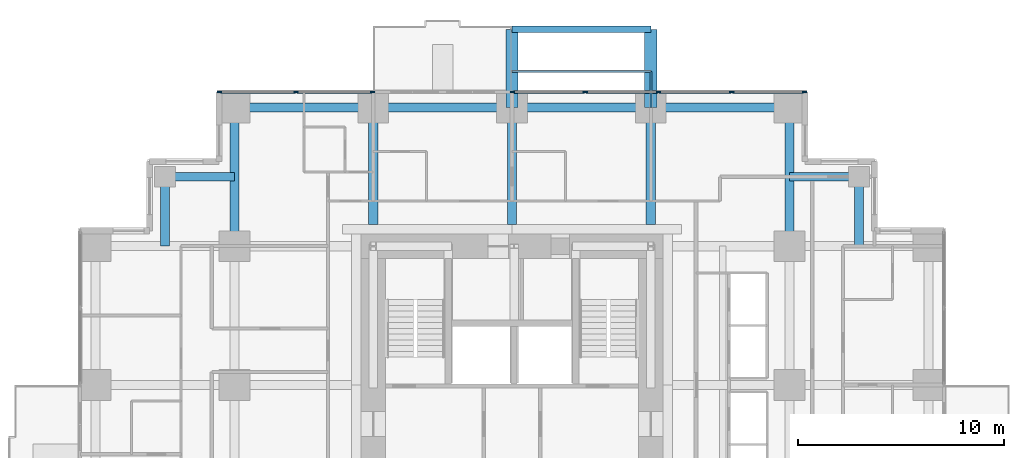
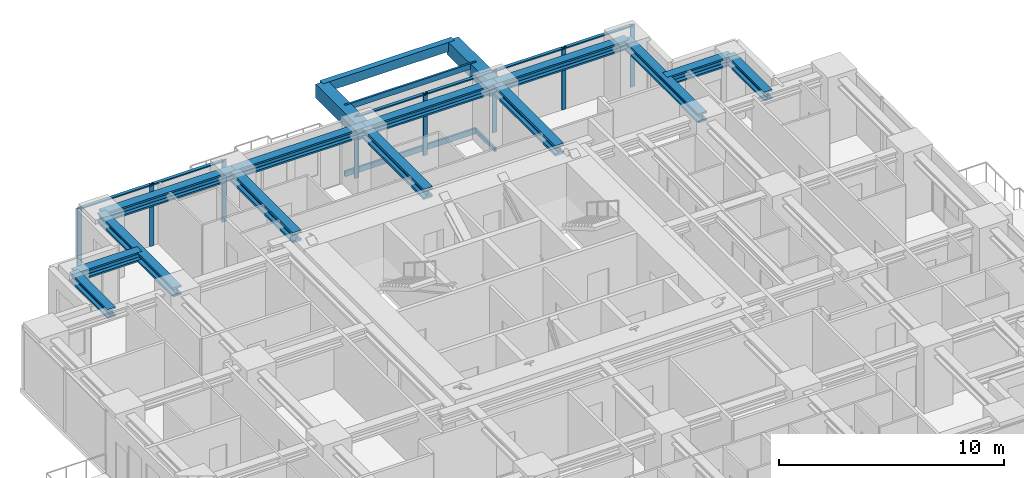
# One storey, part 5 of 13: 17 members, 16 beams, 2 elements without a shape of their own.
"""IFC4 building model written with IfcOpenShell, lengths in metres."""

from ifc_helpers import new_model, si_unit, direction, frame, origin, origin_2d, place, context, subcontext, project, spatial, rectangle, hollow_rectangle, i_section, extrude, material, material_profile, profile_set, type_object, element, aggregate, save


model = new_model("IFC4")

# Units and contexts
model_context = context("Model", 3, precision=1e-05, world=origin(), true_north=direction((0.0, 1.0)))
body_context = subcontext(model_context, "Body", "Model", "MODEL_VIEW")
ifc_project = project(units=[si_unit("LENGTHUNIT", "METRE"), si_unit("AREAUNIT", "SQUARE_METRE"), si_unit("VOLUMEUNIT", "CUBIC_METRE"), si_unit("PLANEANGLEUNIT", "RADIAN"), si_unit("MASSUNIT", "GRAM", prefix="KILO")], contexts=[model_context])

# Site, building, storey
site_placement = place(None, origin())
site = spatial("IfcSite", under=ifc_project, at=site_placement, CompositionType="ELEMENT")
building_placement = place(site_placement, origin())
building = spatial("IfcBuilding", under=site, at=building_placement, Name="Nyansa Garden Tower", CompositionType="ELEMENT")
storey_placement = place(building_placement, frame((0.0, 0.0, 123.300048828125)))
storey = spatial("IfcBuildingStorey", under=building, at=storey_placement, Name="L33", CompositionType="ELEMENT", Elevation=123.300048828125)

# Beams
ifc_material_1 = material(Name="Concrete C70/85", Category="concrete")
ifc_material_profile_1 = material_profile(ifc_material_1, rectangle(XDim=0.60009765625, YDim=0.75, at=origin_2d()), Name="RC 600x750")
ifc_profile_set_1 = profile_set([ifc_material_profile_1], Name="Concrete C70/85")
beam_type_1 = type_object("IfcBeamType", Name="Balcony cantilever beam CB1 RC 600x750", PredefinedType="BEAM", material=ifc_profile_set_1)
for number, where, z_axis, x_axis, name in (
    (1, (20.25, 33.75, 2.98486328125), (0.0, 1.0, 0.0), (-1.0, 0.0, 0.0), "Balcony cantilever beam L34"),
    (2, (27.0, 33.75, 2.98486328125), (0.0, 1.0, 0.0), (-1.0, 0.0, 0.0), "Balcony cantilever beam L34"),
):
    element("IfcBeam", number, at=place(storey_placement, frame(where, z_axis=z_axis, x_axis=x_axis)), inside=storey, type_object=beam_type_1, Name=name, PredefinedType="BEAM", context=body_context, shape_type="SweptSolid", body=[
        extrude(rectangle(XDim=0.60009765625, YDim=0.75, at=origin_2d()), origin(), (0.0, 0.0, 1.0), 3.800048828125),
    ])
ifc_material_2 = material(Name="Concrete C70/85", Category="concrete")
ifc_material_profile_2 = material_profile(ifc_material_2, rectangle(XDim=0.300048828125, YDim=0.5, at=origin_2d()), Name="RC 300x500")
ifc_profile_set_2 = profile_set([ifc_material_profile_2], Name="Concrete C70/85")
beam_type_2 = type_object("IfcBeamType", Name="Balcony edge beam BE1 RC 300x500", PredefinedType="BEAM", material=ifc_profile_set_2)
beam_placement = place(storey_placement, frame((20.25, 37.550048828125, 3.10986328125), z_axis=(1.0, 0.0, 0.0), x_axis=(0.0, 1.0, 0.0)))
element("IfcBeam", 3, at=beam_placement, inside=storey, type_object=beam_type_2, Name="Balcony edge beam L34", PredefinedType="BEAM", context=body_context, shape_type="SweptSolid", body=[
    extrude(rectangle(XDim=0.300048828125, YDim=0.5, at=origin_2d()), origin(), (0.0, 0.0, 1.0), 6.75),
])

# Curtain wall, members
ifc_material_3 = material(Name="Black anodised aluminium, dark tinted double glazing", Category="aluminium")
curtain_wall_type = type_object("IfcCurtainWallType", Name="Inner skin curtain wall ISW-B", PredefinedType="USERDEFINED", material=ifc_material_3)
curtain_wall_1_placement = place(storey_placement, origin())
curtain_wall_1 = element("IfcCurtainWall", 4, at=curtain_wall_1_placement, inside=storey, type_object=curtain_wall_type, Name="Inner skin curtain wall L33 N", ObjectType="UNITISED CURTAIN WALL", PredefinedType="USERDEFINED")
ifc_material_4 = material(Name="Black anodised aluminium", Category="aluminium")
ifc_material_profile_3 = material_profile(ifc_material_4, rectangle(XDim=0.06494140625, YDim=0.22509765625, at=origin_2d()), Name="Mullion 225x65")
ifc_profile_set_3 = profile_set([ifc_material_profile_3], Name="Black anodised aluminium")
member_type_1 = type_object("IfcMemberType", Name="Mullion ISW-B 225x65", PredefinedType="MULLION", material=ifc_profile_set_3)
member_1_placement = place(storey_placement, frame((13.467529296875, 34.5, 0.0), z_axis=(0.0, 0.0, 1.0), x_axis=(0.0, -1.0, 0.0)))
member_1 = element("IfcMember", 5, at=member_1_placement, type_object=member_type_1, Name="ISW-B mullion 1", PredefinedType="MULLION", context=body_context, shape_type="SweptSolid", body=[
    extrude(rectangle(XDim=0.06494140625, YDim=0.22509765625, at=origin_2d()), origin(), (0.0, 0.0, 1.0), 3.375),
])
member_2_placement = place(storey_placement, frame((9.75, 34.5, 0.0), z_axis=(0.0, 0.0, 1.0), x_axis=(0.0, -1.0, 0.0)))
member_2 = element("IfcMember", 6, at=member_2_placement, type_object=member_type_1, Name="ISW-B mullion 2", PredefinedType="MULLION", context=body_context, shape_type="SweptSolid", body=[
    extrude(rectangle(XDim=0.06494140625, YDim=0.22509765625, at=origin_2d()), origin(), (0.0, 0.0, 1.0), 3.375),
])
member_3_placement = place(storey_placement, frame((6.032470703125, 34.5, 0.0), z_axis=(0.0, 0.0, 1.0), x_axis=(0.0, -1.0, 0.0)))
member_3 = element("IfcMember", 7, at=member_3_placement, type_object=member_type_1, Name="ISW-B mullion 3", PredefinedType="MULLION", context=body_context, shape_type="SweptSolid", body=[
    extrude(rectangle(XDim=0.06494140625, YDim=0.22509765625, at=origin_2d()), origin(), (0.0, 0.0, 1.0), 3.375),
])

curtain_wall_2_placement = place(storey_placement, origin())
curtain_wall_2 = element("IfcCurtainWall", 8, at=curtain_wall_2_placement, inside=storey, type_object=curtain_wall_type, Name="Inner skin curtain wall L33 N", ObjectType="UNITISED CURTAIN WALL", PredefinedType="USERDEFINED")
member_4_placement = place(storey_placement, frame((34.467529296875, 34.5, 0.0), z_axis=(0.0, 0.0, 1.0), x_axis=(0.0, -1.0, 0.0)))
member_4 = element("IfcMember", 9, at=member_4_placement, type_object=member_type_1, Name="ISW-B mullion 1", PredefinedType="MULLION", context=body_context, shape_type="SweptSolid", body=[
    extrude(rectangle(XDim=0.06494140625, YDim=0.22509765625, at=origin_2d()), origin(), (0.0, 0.0, 1.0), 3.375),
])
member_5_placement = place(storey_placement, frame((30.9375, 34.5, 0.0), z_axis=(0.0, 0.0, 1.0), x_axis=(0.0, -1.0, 0.0)))
member_5 = element("IfcMember", 10, at=member_5_placement, type_object=member_type_1, Name="ISW-B mullion 2", PredefinedType="MULLION", context=body_context, shape_type="SweptSolid", body=[
    extrude(rectangle(XDim=0.06494140625, YDim=0.22509765625, at=origin_2d()), origin(), (0.0, 0.0, 1.0), 3.375),
])
member_6_placement = place(storey_placement, frame((27.375, 34.5, 0.0), z_axis=(0.0, 0.0, 1.0), x_axis=(0.0, -1.0, 0.0)))
member_6 = element("IfcMember", 11, at=member_6_placement, type_object=member_type_1, Name="ISW-B mullion 3", PredefinedType="MULLION", context=body_context, shape_type="SweptSolid", body=[
    extrude(rectangle(XDim=0.06494140625, YDim=0.22509765625, at=origin_2d()), origin(), (0.0, 0.0, 1.0), 3.375),
])
member_7_placement = place(storey_placement, frame((23.8125, 34.5, 0.0), z_axis=(0.0, 0.0, 1.0), x_axis=(0.0, -1.0, 0.0)))
member_7 = element("IfcMember", 12, at=member_7_placement, type_object=member_type_1, Name="ISW-B mullion 4", PredefinedType="MULLION", context=body_context, shape_type="SweptSolid", body=[
    extrude(rectangle(XDim=0.06494140625, YDim=0.22509765625, at=origin_2d()), origin(), (0.0, 0.0, 1.0), 3.375),
])
member_8_placement = place(storey_placement, frame((20.282470703125, 34.5, 0.0), z_axis=(0.0, 0.0, 1.0), x_axis=(0.0, -1.0, 0.0)))
member_8 = element("IfcMember", 13, at=member_8_placement, type_object=member_type_1, Name="ISW-B mullion 5", PredefinedType="MULLION", context=body_context, shape_type="SweptSolid", body=[
    extrude(rectangle(XDim=0.06494140625, YDim=0.22509765625, at=origin_2d()), origin(), (0.0, 0.0, 1.0), 3.375),
])

# Members
ifc_material_5 = material(Name="Steel S355, black powder coated", Category="steel")
ifc_material_profile_4 = material_profile(ifc_material_5, hollow_rectangle(XDim=0.10009765625, YDim=0.199951171875, WallThickness=0.008056640625, at=origin_2d()), Name="RHS 200x100x8")
ifc_profile_set_4 = profile_set([ifc_material_profile_4], Name="Steel S355, black powder coated")
member_type_2 = type_object("IfcMemberType", Name="Outer skin bracket arm RHS 200x100x8", PredefinedType="USERDEFINED", material=ifc_profile_set_4)
member_9_placement = place(storey_placement, frame((27.0, 33.75, -0.375), z_axis=(0.0, 1.0, 0.0), x_axis=(-1.0, 0.0, 0.0)))
element("IfcMember", 14, at=member_9_placement, inside=storey, type_object=member_type_2, Name="Outer skin bracket arm", ObjectType="OUTER SKIN BRACKET", PredefinedType="USERDEFINED", context=body_context, shape_type="SweptSolid", body=[
    extrude(hollow_rectangle(XDim=0.10009765625, YDim=0.199951171875, WallThickness=0.008056640625, at=origin_2d()), origin(), (0.0, 0.0, 1.0), 1.75),
])
ifc_material_6 = material(Name="Steel S355, black powder coated", Category="steel")
ifc_material_profile_5 = material_profile(ifc_material_6, hollow_rectangle(XDim=0.10009765625, YDim=0.300048828125, WallThickness=0.010009765625, at=origin_2d()), Name="RHS 300x100x10")
ifc_profile_set_5 = profile_set([ifc_material_profile_5], Name="Steel S355, black powder coated")
member_type_3 = type_object("IfcMemberType", Name="Outer skin rail RHS 300x100x10", PredefinedType="USERDEFINED", material=ifc_profile_set_5)
for number, where, z_axis, x_axis, name in (
    (15, (20.25, 35.5, -0.375), (1.0, 0.0, 0.0), (0.0, 1.0, 0.0), "Outer skin rail L33"),
    (16, (20.25, 35.5, 3.224853515625), (1.0, 0.0, 0.0), (0.0, 1.0, 0.0), "Outer skin rail L33 head"),
):
    element("IfcMember", number, at=place(storey_placement, frame(where, z_axis=z_axis, x_axis=x_axis)), inside=storey, type_object=member_type_3, Name=name, ObjectType="OUTER SKIN RAIL", PredefinedType="USERDEFINED", context=body_context, shape_type="SweptSolid", body=[
        extrude(hollow_rectangle(XDim=0.10009765625, YDim=0.300048828125, WallThickness=0.010009765625, at=origin_2d()), origin(), (0.0, 0.0, 1.0), 6.75),
    ])

# Beams
ifc_material_7 = material(Name="Steel S355", Category="steel")
ifc_material_profile_6 = material_profile(ifc_material_7, i_section(OverallWidth=0.431884765625, OverallDepth=0.498046875, WebThickness=0.0556640625, FlangeThickness=0.0888671875, FilletRadius=0.014892578125, at=origin_2d()), Name="HD 400x744")
ifc_profile_set_6 = profile_set([ifc_material_profile_6], Name="Steel S355")
beam_type_3 = type_object("IfcBeamType", Name="Steel beam SBB1-744 HD 400x744", PredefinedType="BEAM", material=ifc_profile_set_6)
for number, where, z_axis, x_axis, name in (
    (17, (6.75, 27.0, 3.1259765625), (0.0, 1.0, 0.0), (-1.0, 0.0, 0.0), "Steel beam 3/H-3/J L34"),
    (18, (33.75, 27.0, 3.1259765625), (0.0, 1.0, 0.0), (-1.0, 0.0, 0.0), "Steel beam 7/H-7/J L34"),
):
    element("IfcBeam", number, at=place(storey_placement, frame(where, z_axis=z_axis, x_axis=x_axis)), inside=storey, type_object=beam_type_3, Name=name, PredefinedType="BEAM", context=body_context, shape_type="SweptSolid", body=[
        extrude(i_section(OverallWidth=0.431884765625, OverallDepth=0.498046875, WebThickness=0.0556640625, FlangeThickness=0.0888671875, FilletRadius=0.014892578125, at=origin_2d()), origin(), (0.0, 0.0, 1.0), 6.75),
    ])
ifc_material_8 = material(Name="Steel S355", Category="steel")
ifc_material_profile_7 = material_profile(ifc_material_8, i_section(OverallWidth=0.4541015625, OverallDepth=0.569091796875, WebThickness=0.077880859375, FlangeThickness=0.125, FilletRadius=0.014892578125, at=origin_2d()), Name="HD 400x1086")
ifc_profile_set_7 = profile_set([ifc_material_profile_7], Name="Steel S355")
beam_type_4 = type_object("IfcBeamType", Name="Steel beam SCL-1086 HD 400x1086", PredefinedType="BEAM", material=ifc_profile_set_7)
for number, where, z_axis, x_axis, name in (
    (19, (13.5, 28.050048828125, 3.09033203125), (0.0, 1.0, 0.0), (-1.0, 0.0, 0.0), "Steel beam 4/28.050-4/J L34"),
    (20, (20.25, 28.050048828125, 3.09033203125), (0.0, 1.0, 0.0), (-1.0, 0.0, 0.0), "Steel beam 5/28.050-5/J L34"),
    (21, (27.0, 28.050048828125, 3.09033203125), (0.0, 1.0, 0.0), (-1.0, 0.0, 0.0), "Steel beam 6/28.050-6/J L34"),
):
    element("IfcBeam", number, at=place(storey_placement, frame(where, z_axis=z_axis, x_axis=x_axis)), inside=storey, type_object=beam_type_4, Name=name, PredefinedType="BEAM", context=body_context, shape_type="SweptSolid", body=[
        extrude(i_section(OverallWidth=0.4541015625, OverallDepth=0.569091796875, WebThickness=0.077880859375, FlangeThickness=0.125, FilletRadius=0.014892578125, at=origin_2d()), origin(), (0.0, 0.0, 1.0), 5.699951171875),
    ])
ifc_material_9 = material(Name="Steel S355", Category="steel")
ifc_material_profile_8 = material_profile(ifc_material_9, i_section(OverallWidth=0.431884765625, OverallDepth=0.498046875, WebThickness=0.0556640625, FlangeThickness=0.0888671875, FilletRadius=0.014892578125, at=origin_2d()), Name="HD 400x744")
ifc_profile_set_8 = profile_set([ifc_material_profile_8], Name="Steel S355")
beam_type_5 = type_object("IfcBeamType", Name="Steel beam SEBB-744 HD 400x744", PredefinedType="BEAM", material=ifc_profile_set_8)
for number, where, z_axis, x_axis, name in (
    (22, (6.75, 33.75, 3.1259765625), (1.0, 0.0, 0.0), (0.0, 1.0, 0.0), "Steel edge beam 3/J-4/J L34"),
    (23, (13.5, 33.75, 3.1259765625), (1.0, 0.0, 0.0), (0.0, 1.0, 0.0), "Steel edge beam 4/J-5/J L34"),
    (24, (20.25, 33.75, 3.1259765625), (1.0, 0.0, 0.0), (0.0, 1.0, 0.0), "Steel edge beam 5/J-6/J L34"),
    (25, (27.0, 33.75, 3.1259765625), (1.0, 0.0, 0.0), (0.0, 1.0, 0.0), "Steel edge beam 6/J-7/J L34"),
):
    element("IfcBeam", number, at=place(storey_placement, frame(where, z_axis=z_axis, x_axis=x_axis)), inside=storey, type_object=beam_type_5, Name=name, PredefinedType="BEAM", context=body_context, shape_type="SweptSolid", body=[
        extrude(i_section(OverallWidth=0.431884765625, OverallDepth=0.498046875, WebThickness=0.0556640625, FlangeThickness=0.0888671875, FilletRadius=0.014892578125, at=origin_2d()), origin(), (0.0, 0.0, 1.0), 6.75),
    ])
ifc_material_10 = material(Name="Steel S355", Category="steel")
ifc_material_profile_9 = material_profile(ifc_material_10, i_section(OverallWidth=0.431884765625, OverallDepth=0.498046875, WebThickness=0.0556640625, FlangeThickness=0.0888671875, FilletRadius=0.014892578125, at=origin_2d()), Name="HD 400x744")
ifc_profile_set_9 = profile_set([ifc_material_profile_9], Name="Steel S355")
beam_type_6 = type_object("IfcBeamType", Name="Steel beam SSB1-744 HD 400x744", PredefinedType="BEAM", material=ifc_profile_set_9)
for number, where, z_axis, x_axis, name in (
    (26, (37.125, 30.375, 3.1259765625), (0.0, -1.0, 0.0), (1.0, 0.0, 0.0), "Steel step beam 37.125/30.375 L34"),
    (27, (37.125, 30.375, 3.1259765625), (-1.0, 0.0, 0.0), (0.0, -1.0, 0.0), "Steel step beam 37.125/30.375 L34"),
    (28, (3.375, 30.375, 3.1259765625), (0.0, -1.0, 0.0), (1.0, 0.0, 0.0), "Steel step beam 3.375/30.375 L34"),
    (29, (3.375, 30.375, 3.1259765625), (1.0, 0.0, 0.0), (0.0, 1.0, 0.0), "Steel step beam 3.375/30.375 L34"),
):
    element("IfcBeam", number, at=place(storey_placement, frame(where, z_axis=z_axis, x_axis=x_axis)), inside=storey, type_object=beam_type_6, Name=name, PredefinedType="BEAM", context=body_context, shape_type="SweptSolid", body=[
        extrude(i_section(OverallWidth=0.431884765625, OverallDepth=0.498046875, WebThickness=0.0556640625, FlangeThickness=0.0888671875, FilletRadius=0.014892578125, at=origin_2d()), origin(), (0.0, 0.0, 1.0), 3.375),
    ])

# Member
ifc_material_11 = material(Name="Black anodised aluminium", Category="aluminium")
ifc_material_profile_10 = material_profile(ifc_material_11, rectangle(XDim=0.1650390625, YDim=0.06494140625, at=origin_2d()), Name="Transom 165x65")
ifc_profile_set_10 = profile_set([ifc_material_profile_10], Name="Black anodised aluminium")
member_type_4 = type_object("IfcMemberType", Name="Transom ISW-B 165x65", PredefinedType="USERDEFINED", material=ifc_profile_set_10)
member_10_placement = place(storey_placement, frame((13.43505859375, 34.5, 3.342529296875), z_axis=(-1.0, 0.0, 0.0), x_axis=(0.0, -1.0, 0.0)))
member_10 = element("IfcMember", 30, at=member_10_placement, type_object=member_type_4, Name="ISW-B transom 1", ObjectType="TRANSOM", PredefinedType="USERDEFINED", context=body_context, shape_type="SweptSolid", body=[
    extrude(rectangle(XDim=0.1650390625, YDim=0.06494140625, at=origin_2d()), origin(), (0.0, 0.0, 1.0), 3.652587890625),
])

member_11_placement = place(storey_placement, frame((9.717529296875, 34.5, 3.342529296875), z_axis=(-1.0, 0.0, 0.0), x_axis=(0.0, -1.0, 0.0)))
member_11 = element("IfcMember", 31, at=member_11_placement, type_object=member_type_4, Name="ISW-B transom 2", ObjectType="TRANSOM", PredefinedType="USERDEFINED", context=body_context, shape_type="SweptSolid", body=[
    extrude(rectangle(XDim=0.1650390625, YDim=0.06494140625, at=origin_2d()), origin(), (0.0, 0.0, 1.0), 3.652587890625),
])

aggregate(curtain_wall_1, [member_1, member_2, member_3, member_10, member_11])

member_12_placement = place(storey_placement, frame((34.43505859375, 34.5, 3.342529296875), z_axis=(-1.0, 0.0, 0.0), x_axis=(0.0, -1.0, 0.0)))
member_12 = element("IfcMember", 32, at=member_12_placement, type_object=member_type_4, Name="ISW-B transom 1", ObjectType="TRANSOM", PredefinedType="USERDEFINED", context=body_context, shape_type="SweptSolid", body=[
    extrude(rectangle(XDim=0.1650390625, YDim=0.06494140625, at=origin_2d()), origin(), (0.0, 0.0, 1.0), 3.465087890625),
])

member_13_placement = place(storey_placement, frame((30.905029296875, 34.5, 3.342529296875), z_axis=(-1.0, 0.0, 0.0), x_axis=(0.0, -1.0, 0.0)))
member_13 = element("IfcMember", 33, at=member_13_placement, type_object=member_type_4, Name="ISW-B transom 2", ObjectType="TRANSOM", PredefinedType="USERDEFINED", context=body_context, shape_type="SweptSolid", body=[
    extrude(rectangle(XDim=0.1650390625, YDim=0.06494140625, at=origin_2d()), origin(), (0.0, 0.0, 1.0), 3.49755859375),
])

member_14_placement = place(storey_placement, frame((27.342529296875, 34.5, 3.342529296875), z_axis=(-1.0, 0.0, 0.0), x_axis=(0.0, -1.0, 0.0)))
member_14 = element("IfcMember", 34, at=member_14_placement, type_object=member_type_4, Name="ISW-B transom 3", ObjectType="TRANSOM", PredefinedType="USERDEFINED", context=body_context, shape_type="SweptSolid", body=[
    extrude(rectangle(XDim=0.1650390625, YDim=0.06494140625, at=origin_2d()), origin(), (0.0, 0.0, 1.0), 3.49755859375),
])

member_15_placement = place(storey_placement, frame((23.780029296875, 34.5, 3.342529296875), z_axis=(-1.0, 0.0, 0.0), x_axis=(0.0, -1.0, 0.0)))
member_15 = element("IfcMember", 35, at=member_15_placement, type_object=member_type_4, Name="ISW-B transom 4", ObjectType="TRANSOM", PredefinedType="USERDEFINED", context=body_context, shape_type="SweptSolid", body=[
    extrude(rectangle(XDim=0.1650390625, YDim=0.06494140625, at=origin_2d()), origin(), (0.0, 0.0, 1.0), 3.465087890625),
])

aggregate(curtain_wall_2, [member_4, member_5, member_6, member_7, member_8, member_12, member_13, member_14, member_15])

save(model, "model.ifc")
